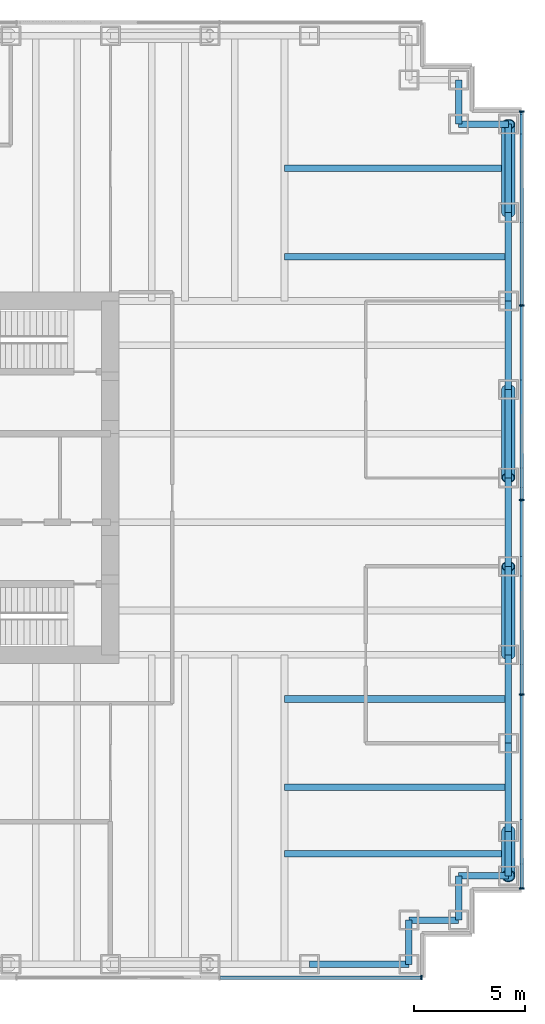
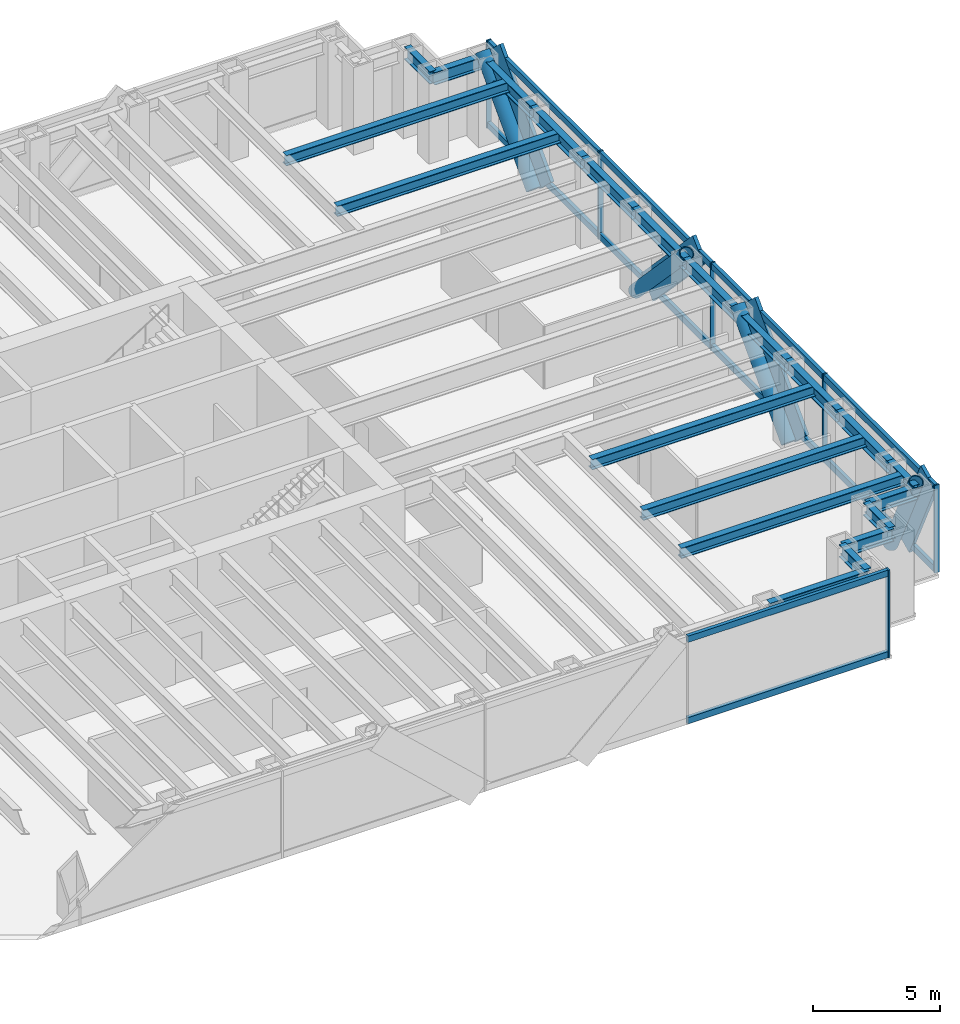
# One storey, part 7 of 14: 24 members, 21 beams, 2 elements without a shape of their own.
"""IFC4 building model written with IfcOpenShell, lengths in metres."""

from ifc_helpers import new_model, si_unit, direction, frame, origin, origin_2d, place, context, subcontext, project, spatial, rectangle, hollow_circle, i_section, extrude, material, material_profile, profile_set, type_object, element, aggregate, save


model = new_model("IFC4")

# Units and contexts
model_context = context("Model", 3, precision=1e-05, world=origin(), true_north=direction((0.0, 1.0)))
body_context = subcontext(model_context, "Body", "Model", "MODEL_VIEW")
ifc_project = project(units=[si_unit("LENGTHUNIT", "METRE"), si_unit("AREAUNIT", "SQUARE_METRE"), si_unit("VOLUMEUNIT", "CUBIC_METRE"), si_unit("PLANEANGLEUNIT", "RADIAN"), si_unit("MASSUNIT", "GRAM", prefix="KILO")], contexts=[model_context])

# Site, building, storey
site_placement = place(None, origin())
site = spatial("IfcSite", under=ifc_project, at=site_placement, CompositionType="ELEMENT")
building_placement = place(site_placement, origin())
building = spatial("IfcBuilding", under=site, at=building_placement, Name="Rheinbord Bourse Tower", CompositionType="ELEMENT")
storey_placement = place(building_placement, frame((0.0, 0.0, 232.0)))
storey = spatial("IfcBuildingStorey", under=building, at=storey_placement, Name="L52", CompositionType="ELEMENT", Elevation=232.0)

# Curtain wall, members
ifc_material_1 = material(Name="Dark glass and black aluminium", Category="aluminium")
curtain_wall_type = type_object("IfcCurtainWallType", Name="CW2 DARK GLASS CURTAIN WALL", PredefinedType="USERDEFINED", material=ifc_material_1)
curtain_wall_1_placement = place(storey_placement, origin())
curtain_wall_1 = element("IfcCurtainWall", 1, at=curtain_wall_1_placement, inside=storey, type_object=curtain_wall_type, Name="Curtain wall CW2 E L52", ObjectType="UNITISED CURTAIN WALL", PredefinedType="USERDEFINED")
ifc_material_2 = material(Name="Black anodised aluminium", Category="aluminium")
ifc_material_profile_1 = material_profile(ifc_material_2, rectangle(XDim=0.159912109375, YDim=1.2099609375, at=origin_2d()), Name="CW2 DIAGONAL MULLION 1210x160")
ifc_profile_set_1 = profile_set([ifc_material_profile_1], Name="Black anodised aluminium")
member_type_1 = type_object("IfcMemberType", Name="CW2 BLACK DIAGONAL MULLION", PredefinedType="USERDEFINED", material=ifc_profile_set_1)
member_1_placement = place(storey_placement, frame((72.60009765625, 8.0, 0.0), z_axis=(0.0, -0.429937654825, 0.902858578607), x_axis=(1.0, 0.0, 0.0)))
member_1 = element("IfcMember", 2, at=member_1_placement, type_object=member_type_1, Name="CW2 diagonal mullion a", ObjectType="DIAGONAL MULLION", PredefinedType="USERDEFINED", context=body_context, shape_type="SweptSolid", body=[
    extrude(rectangle(XDim=0.159912109375, YDim=1.2099609375, at=origin_2d()), origin(), (0.0, 0.0, 1.0), 4.65185546875),
])
member_2_placement = place(storey_placement, frame((72.60009765625, 36.0, 0.0), z_axis=(0.0, 0.689659376744, 0.724133926887), x_axis=(-1.0, 0.0, 0.0)))
member_2 = element("IfcMember", 3, at=member_2_placement, type_object=member_type_1, Name="CW2 diagonal mullion b", ObjectType="DIAGONAL MULLION", PredefinedType="USERDEFINED", context=body_context, shape_type="SweptSolid", body=[
    extrude(rectangle(XDim=0.159912109375, YDim=1.2099609375, at=origin_2d()), origin(), (0.0, 0.0, 1.0), 5.800048828125),
])
member_3_placement = place(storey_placement, frame((72.60009765625, 16.0, 0.0), z_axis=(0.0, 0.689659376744, 0.724133926887), x_axis=(-1.0, 0.0, 0.0)))
member_3 = element("IfcMember", 4, at=member_3_placement, type_object=member_type_1, Name="CW2 diagonal mullion c", ObjectType="DIAGONAL MULLION", PredefinedType="USERDEFINED", context=body_context, shape_type="SweptSolid", body=[
    extrude(rectangle(XDim=0.159912109375, YDim=1.2099609375, at=origin_2d()), origin(), (0.0, 0.0, 1.0), 5.800048828125),
])
member_4_placement = place(storey_placement, frame((72.60009765625, 28.0, 0.0), z_axis=(0.0, -0.689659376744, 0.724133926887), x_axis=(1.0, 0.0, 0.0)))
member_4 = element("IfcMember", 5, at=member_4_placement, type_object=member_type_1, Name="CW2 diagonal mullion d", ObjectType="DIAGONAL MULLION", PredefinedType="USERDEFINED", context=body_context, shape_type="SweptSolid", body=[
    extrude(rectangle(XDim=0.159912109375, YDim=1.2099609375, at=origin_2d()), origin(), (0.0, 0.0, 1.0), 5.800048828125),
])

# Curtain wall, member
curtain_wall_2_placement = place(storey_placement, origin())
curtain_wall_2 = element("IfcCurtainWall", 6, at=curtain_wall_2_placement, inside=storey, type_object=curtain_wall_type, Name="Curtain wall CW2 S L52", ObjectType="UNITISED CURTAIN WALL", PredefinedType="USERDEFINED")
ifc_material_3 = material(Name="Black anodised aluminium", Category="aluminium")
ifc_material_profile_2 = material_profile(ifc_material_3, rectangle(XDim=0.219970703125, YDim=0.070068359375, at=origin_2d()), Name="CW2 MULLION 70x220")
ifc_profile_set_2 = profile_set([ifc_material_profile_2], Name="Black anodised aluminium")
member_type_2 = type_object("IfcMemberType", Name="CW2 BLACK MULLION", PredefinedType="MULLION", material=ifc_profile_set_2)
member_5_placement = place(storey_placement, frame((68.06494140625, 1.39990234375, 0.0), z_axis=(0.0, 0.0, 1.0), x_axis=(0.0, 1.0, 0.0)))
member_5 = element("IfcMember", 7, at=member_5_placement, type_object=member_type_2, Name="CW2 mullion 8", PredefinedType="MULLION", context=body_context, shape_type="SweptSolid", body=[
    extrude(rectangle(XDim=0.219970703125, YDim=0.070068359375, at=origin_2d()), origin(), (0.0, 0.0, 1.0), 4.199951171875),
])

# Member
member_6_placement = place(storey_placement, frame((72.60009765625, 5.43505859375, 0.0), z_axis=(0.0, 0.0, 1.0), x_axis=(-1.0, 0.0, 0.0)))
member_6 = element("IfcMember", 8, at=member_6_placement, type_object=member_type_2, Name="CW2 mullion 1", PredefinedType="MULLION", context=body_context, shape_type="SweptSolid", body=[
    extrude(rectangle(XDim=0.219970703125, YDim=0.070068359375, at=origin_2d()), origin(), (0.0, 0.0, 1.0), 4.199951171875),
])

member_7_placement = place(storey_placement, frame((72.60009765625, 14.199951171875, 0.0), z_axis=(0.0, 0.0, 1.0), x_axis=(-1.0, 0.0, 0.0)))
member_7 = element("IfcMember", 9, at=member_7_placement, type_object=member_type_2, Name="CW2 mullion 2", PredefinedType="MULLION", context=body_context, shape_type="SweptSolid", body=[
    extrude(rectangle(XDim=0.219970703125, YDim=0.070068359375, at=origin_2d()), origin(), (0.0, 0.0, 1.0), 4.199951171875),
])

member_8_placement = place(storey_placement, frame((72.60009765625, 23.0, 0.0), z_axis=(0.0, 0.0, 1.0), x_axis=(-1.0, 0.0, 0.0)))
member_8 = element("IfcMember", 10, at=member_8_placement, type_object=member_type_2, Name="CW2 mullion 3", PredefinedType="MULLION", context=body_context, shape_type="SweptSolid", body=[
    extrude(rectangle(XDim=0.219970703125, YDim=0.070068359375, at=origin_2d()), origin(), (0.0, 0.0, 1.0), 4.199951171875),
])

member_9_placement = place(storey_placement, frame((72.60009765625, 31.800048828125, 0.0), z_axis=(0.0, 0.0, 1.0), x_axis=(-1.0, 0.0, 0.0)))
member_9 = element("IfcMember", 11, at=member_9_placement, type_object=member_type_2, Name="CW2 mullion 4", PredefinedType="MULLION", context=body_context, shape_type="SweptSolid", body=[
    extrude(rectangle(XDim=0.219970703125, YDim=0.070068359375, at=origin_2d()), origin(), (0.0, 0.0, 1.0), 4.199951171875),
])

member_10_placement = place(storey_placement, frame((72.60009765625, 40.56494140625, 0.0), z_axis=(0.0, 0.0, 1.0), x_axis=(-1.0, 0.0, 0.0)))
member_10 = element("IfcMember", 12, at=member_10_placement, type_object=member_type_2, Name="CW2 mullion 5", PredefinedType="MULLION", context=body_context, shape_type="SweptSolid", body=[
    extrude(rectangle(XDim=0.219970703125, YDim=0.070068359375, at=origin_2d()), origin(), (0.0, 0.0, 1.0), 4.199951171875),
])

ifc_material_4 = material(Name="Black anodised aluminium", Category="aluminium")
ifc_material_profile_3 = material_profile(ifc_material_4, rectangle(XDim=0.159912109375, YDim=0.300048828125, at=origin_2d()), Name="CW2 TRANSOM 300x160")
ifc_profile_set_3 = profile_set([ifc_material_profile_3], Name="Black anodised aluminium")
member_type_3 = type_object("IfcMemberType", Name="CW2 BLACK TRANSOM", PredefinedType="USERDEFINED", material=ifc_profile_set_3)
member_11_placement = place(storey_placement, frame((58.963623046875, 1.39990234375, 0.14990234375), z_axis=(1.0, 0.0, 0.0), x_axis=(0.0, 1.0, 0.0)))
member_11 = element("IfcMember", 13, at=member_11_placement, type_object=member_type_3, Name="CW2 transom 7.1", ObjectType="TRANSOM", PredefinedType="USERDEFINED", context=body_context, shape_type="SweptSolid", body=[
    extrude(rectangle(XDim=0.159912109375, YDim=0.300048828125, at=origin_2d()), origin(), (0.0, 0.0, 1.0), 9.06640625),
])

member_12_placement = place(storey_placement, frame((58.963623046875, 1.39990234375, 4.050048828125), z_axis=(1.0, 0.0, 0.0), x_axis=(0.0, 1.0, 0.0)))
member_12 = element("IfcMember", 14, at=member_12_placement, type_object=member_type_3, Name="CW2 transom 7.2", ObjectType="TRANSOM", PredefinedType="USERDEFINED", context=body_context, shape_type="SweptSolid", body=[
    extrude(rectangle(XDim=0.159912109375, YDim=0.300048828125, at=origin_2d()), origin(), (0.0, 0.0, 1.0), 9.06640625),
])

aggregate(curtain_wall_2, [member_5, member_11, member_12])

member_13_placement = place(storey_placement, frame((72.60009765625, 5.469970703125, 0.14990234375), z_axis=(0.0, 1.0, 0.0), x_axis=(-1.0, 0.0, 0.0)))
member_13 = element("IfcMember", 15, at=member_13_placement, type_object=member_type_3, Name="CW2 transom 1.1", ObjectType="TRANSOM", PredefinedType="USERDEFINED", context=body_context, shape_type="SweptSolid", body=[
    extrude(rectangle(XDim=0.159912109375, YDim=0.300048828125, at=origin_2d()), origin(), (0.0, 0.0, 1.0), 8.695068359375),
])

member_14_placement = place(storey_placement, frame((72.60009765625, 5.469970703125, 4.050048828125), z_axis=(0.0, 1.0, 0.0), x_axis=(-1.0, 0.0, 0.0)))
member_14 = element("IfcMember", 16, at=member_14_placement, type_object=member_type_3, Name="CW2 transom 1.2", ObjectType="TRANSOM", PredefinedType="USERDEFINED", context=body_context, shape_type="SweptSolid", body=[
    extrude(rectangle(XDim=0.159912109375, YDim=0.300048828125, at=origin_2d()), origin(), (0.0, 0.0, 1.0), 8.695068359375),
])

member_15_placement = place(storey_placement, frame((72.60009765625, 14.235107421875, 0.14990234375), z_axis=(0.0, 1.0, 0.0), x_axis=(-1.0, 0.0, 0.0)))
member_15 = element("IfcMember", 17, at=member_15_placement, type_object=member_type_3, Name="CW2 transom 2.1", ObjectType="TRANSOM", PredefinedType="USERDEFINED", context=body_context, shape_type="SweptSolid", body=[
    extrude(rectangle(XDim=0.159912109375, YDim=0.300048828125, at=origin_2d()), origin(), (0.0, 0.0, 1.0), 8.72998046875),
])

member_16_placement = place(storey_placement, frame((72.60009765625, 14.235107421875, 4.050048828125), z_axis=(0.0, 1.0, 0.0), x_axis=(-1.0, 0.0, 0.0)))
member_16 = element("IfcMember", 18, at=member_16_placement, type_object=member_type_3, Name="CW2 transom 2.2", ObjectType="TRANSOM", PredefinedType="USERDEFINED", context=body_context, shape_type="SweptSolid", body=[
    extrude(rectangle(XDim=0.159912109375, YDim=0.300048828125, at=origin_2d()), origin(), (0.0, 0.0, 1.0), 8.72998046875),
])

member_17_placement = place(storey_placement, frame((72.60009765625, 23.034912109375, 0.14990234375), z_axis=(0.0, 1.0, 0.0), x_axis=(-1.0, 0.0, 0.0)))
member_17 = element("IfcMember", 19, at=member_17_placement, type_object=member_type_3, Name="CW2 transom 3.1", ObjectType="TRANSOM", PredefinedType="USERDEFINED", context=body_context, shape_type="SweptSolid", body=[
    extrude(rectangle(XDim=0.159912109375, YDim=0.300048828125, at=origin_2d()), origin(), (0.0, 0.0, 1.0), 8.72998046875),
])

member_18_placement = place(storey_placement, frame((72.60009765625, 23.034912109375, 4.050048828125), z_axis=(0.0, 1.0, 0.0), x_axis=(-1.0, 0.0, 0.0)))
member_18 = element("IfcMember", 20, at=member_18_placement, type_object=member_type_3, Name="CW2 transom 3.2", ObjectType="TRANSOM", PredefinedType="USERDEFINED", context=body_context, shape_type="SweptSolid", body=[
    extrude(rectangle(XDim=0.159912109375, YDim=0.300048828125, at=origin_2d()), origin(), (0.0, 0.0, 1.0), 8.72998046875),
])

member_19_placement = place(storey_placement, frame((72.60009765625, 31.8349609375, 0.14990234375), z_axis=(0.0, 1.0, 0.0), x_axis=(-1.0, 0.0, 0.0)))
member_19 = element("IfcMember", 21, at=member_19_placement, type_object=member_type_3, Name="CW2 transom 4.1", ObjectType="TRANSOM", PredefinedType="USERDEFINED", context=body_context, shape_type="SweptSolid", body=[
    extrude(rectangle(XDim=0.159912109375, YDim=0.300048828125, at=origin_2d()), origin(), (0.0, 0.0, 1.0), 8.695068359375),
])

member_20_placement = place(storey_placement, frame((72.60009765625, 31.8349609375, 4.050048828125), z_axis=(0.0, 1.0, 0.0), x_axis=(-1.0, 0.0, 0.0)))
member_20 = element("IfcMember", 22, at=member_20_placement, type_object=member_type_3, Name="CW2 transom 4.2", ObjectType="TRANSOM", PredefinedType="USERDEFINED", context=body_context, shape_type="SweptSolid", body=[
    extrude(rectangle(XDim=0.159912109375, YDim=0.300048828125, at=origin_2d()), origin(), (0.0, 0.0, 1.0), 8.695068359375),
])

aggregate(curtain_wall_1, [member_6, member_7, member_8, member_9, member_10, member_13, member_14, member_15, member_16, member_17, member_18, member_19, member_20, member_1, member_2, member_3, member_4])

# Members
ifc_material_5 = material(Name="Steel S460", Category="steel")
ifc_material_profile_4 = material_profile(ifc_material_5, hollow_circle(Radius=0.304931640625, WallThickness=0.0400390625, at=origin_2d()), Name="CHS 610x40")
ifc_profile_set_4 = profile_set([ifc_material_profile_4], Name="Steel S460")
member_type_4 = type_object("IfcMemberType", Name="MEGABRACE CHS 610x40", PredefinedType="BRACE", material=ifc_profile_set_4)
member_21_placement = place(storey_placement, frame((72.0, 8.0, 0.0), z_axis=(0.0, -0.429937654825, 0.902858578607), x_axis=(1.0, 0.0, 0.0)))
element("IfcMember", 23, at=member_21_placement, inside=storey, type_object=member_type_4, Name="Megabrace E face line a L52", PredefinedType="BRACE", context=body_context, shape_type="SweptSolid", body=[
    extrude(hollow_circle(Radius=0.304931640625, WallThickness=0.0400390625, at=origin_2d()), origin(), (0.0, 0.0, 1.0), 4.65185546875),
])
for number, where, z_axis, x_axis, name in (
    (24, (72.0, 36.0, 0.0), (0.0, 0.689659376744, 0.724133926887), (-1.0, 0.0, 0.0), "Megabrace E face line b L52"),
    (25, (72.0, 16.0, 0.0), (0.0, 0.689659376744, 0.724133926887), (-1.0, 0.0, 0.0), "Megabrace E face line c L52"),
    (26, (72.0, 28.0, 0.0), (0.0, -0.689659376744, 0.724133926887), (1.0, 0.0, 0.0), "Megabrace E face line d L52"),
):
    element("IfcMember", number, at=place(storey_placement, frame(where, z_axis=z_axis, x_axis=x_axis)), inside=storey, type_object=member_type_4, Name=name, PredefinedType="BRACE", context=body_context, shape_type="SweptSolid", body=[
        extrude(hollow_circle(Radius=0.304931640625, WallThickness=0.0400390625, at=origin_2d()), origin(), (0.0, 0.0, 1.0), 5.800048828125),
    ])

# Beams
ifc_material_6 = material(Name="Steel S460", Category="steel")
ifc_material_profile_5 = material_profile(ifc_material_6, i_section(OverallWidth=0.300048828125, OverallDepth=0.60009765625, WebThickness=0.015380859375, FlangeThickness=0.030029296875, at=origin_2d()), Name="HEB 600")
ifc_profile_set_5 = profile_set([ifc_material_profile_5], Name="Steel S460")
beam_type_1 = type_object("IfcBeamType", Name="SPANDREL HEB 600", PredefinedType="SPANDREL", material=ifc_profile_set_5)
beam_1_placement = place(storey_placement, frame((63.0, 2.0, 3.739990234375), z_axis=(1.0, 0.0, 0.0), x_axis=(0.0, 1.0, 0.0)))
element("IfcBeam", 27, at=beam_1_placement, inside=storey, type_object=beam_type_1, Name="Spandrel S-63-SE-E under L53", PredefinedType="SPANDREL", context=body_context, shape_type="SweptSolid", body=[
    extrude(i_section(OverallWidth=0.300048828125, OverallDepth=0.60009765625, WebThickness=0.015380859375, FlangeThickness=0.030029296875, at=origin_2d()), origin(), (0.0, 0.0, 1.0), 4.5),
])
beam_2_placement = place(storey_placement, frame((67.5, 2.0, 3.739990234375), z_axis=(0.0, 1.0, 0.0), x_axis=(-1.0, 0.0, 0.0)))
element("IfcBeam", 28, at=beam_2_placement, inside=storey, type_object=beam_type_1, Name="Spandrel SE-E-SE-D under L53", PredefinedType="SPANDREL", context=body_context, shape_type="SweptSolid", body=[
    extrude(i_section(OverallWidth=0.300048828125, OverallDepth=0.60009765625, WebThickness=0.015380859375, FlangeThickness=0.030029296875, at=origin_2d()), origin(), (0.0, 0.0, 1.0), 2.0),
])
beam_3_placement = place(storey_placement, frame((67.5, 4.0, 3.739990234375), z_axis=(1.0, 0.0, 0.0), x_axis=(0.0, 1.0, 0.0)))
element("IfcBeam", 29, at=beam_3_placement, inside=storey, type_object=beam_type_1, Name="Spandrel SE-D-SE-C under L53", PredefinedType="SPANDREL", context=body_context, shape_type="SweptSolid", body=[
    extrude(i_section(OverallWidth=0.300048828125, OverallDepth=0.60009765625, WebThickness=0.015380859375, FlangeThickness=0.030029296875, at=origin_2d()), origin(), (0.0, 0.0, 1.0), 2.25),
])
beam_4_placement = place(storey_placement, frame((69.75, 4.0, 3.739990234375), z_axis=(0.0, 1.0, 0.0), x_axis=(-1.0, 0.0, 0.0)))
element("IfcBeam", 30, at=beam_4_placement, inside=storey, type_object=beam_type_1, Name="Spandrel SE-C-SE-B under L53", PredefinedType="SPANDREL", context=body_context, shape_type="SweptSolid", body=[
    extrude(i_section(OverallWidth=0.300048828125, OverallDepth=0.60009765625, WebThickness=0.015380859375, FlangeThickness=0.030029296875, at=origin_2d()), origin(), (0.0, 0.0, 1.0), 2.0),
])
beam_5_placement = place(storey_placement, frame((69.75, 6.0, 3.739990234375), z_axis=(1.0, 0.0, 0.0), x_axis=(0.0, 1.0, 0.0)))
element("IfcBeam", 31, at=beam_5_placement, inside=storey, type_object=beam_type_1, Name="Spandrel SE-B-SE-A under L53", PredefinedType="SPANDREL", context=body_context, shape_type="SweptSolid", body=[
    extrude(i_section(OverallWidth=0.300048828125, OverallDepth=0.60009765625, WebThickness=0.015380859375, FlangeThickness=0.030029296875, at=origin_2d()), origin(), (0.0, 0.0, 1.0), 2.25),
])
beam_6_placement = place(storey_placement, frame((72.0, 6.0, 3.739990234375), z_axis=(0.0, 1.0, 0.0), x_axis=(-1.0, 0.0, 0.0)))
element("IfcBeam", 32, at=beam_6_placement, inside=storey, type_object=beam_type_1, Name="Spandrel SE-A-E-8 under L53", PredefinedType="SPANDREL", context=body_context, shape_type="SweptSolid", body=[
    extrude(i_section(OverallWidth=0.300048828125, OverallDepth=0.60009765625, WebThickness=0.015380859375, FlangeThickness=0.030029296875, at=origin_2d()), origin(), (0.0, 0.0, 1.0), 2.0),
])
for number, where, z_axis, x_axis, name in (
    (33, (72.0, 8.0, 3.739990234375), (0.0, 1.0, 0.0), (-1.0, 0.0, 0.0), "Spandrel E-8-E-12 under L53"),
    (34, (72.0, 12.0, 3.739990234375), (0.0, 1.0, 0.0), (-1.0, 0.0, 0.0), "Spandrel E-12-E-16 under L53"),
    (35, (72.0, 16.0, 3.739990234375), (0.0, 1.0, 0.0), (-1.0, 0.0, 0.0), "Spandrel E-16-E-20 under L53"),
    (36, (72.0, 20.0, 3.739990234375), (0.0, 1.0, 0.0), (-1.0, 0.0, 0.0), "Spandrel E-20-E-24 under L53"),
    (37, (72.0, 24.0, 3.739990234375), (0.0, 1.0, 0.0), (-1.0, 0.0, 0.0), "Spandrel E-24-E-28 under L53"),
    (38, (72.0, 28.0, 3.739990234375), (0.0, 1.0, 0.0), (-1.0, 0.0, 0.0), "Spandrel E-28-E-32 under L53"),
    (39, (72.0, 32.0, 3.739990234375), (0.0, 1.0, 0.0), (-1.0, 0.0, 0.0), "Spandrel E-32-E-36 under L53"),
    (40, (72.0, 36.0, 3.739990234375), (0.0, 1.0, 0.0), (-1.0, 0.0, 0.0), "Spandrel E-36-NE-A under L53"),
):
    element("IfcBeam", number, at=place(storey_placement, frame(where, z_axis=z_axis, x_axis=x_axis)), inside=storey, type_object=beam_type_1, Name=name, PredefinedType="SPANDREL", context=body_context, shape_type="SweptSolid", body=[
        extrude(i_section(OverallWidth=0.300048828125, OverallDepth=0.60009765625, WebThickness=0.015380859375, FlangeThickness=0.030029296875, at=origin_2d()), origin(), (0.0, 0.0, 1.0), 4.0),
    ])
beam_7_placement = place(storey_placement, frame((72.0, 40.0, 3.739990234375), z_axis=(-1.0, 0.0, 0.0), x_axis=(0.0, -1.0, 0.0)))
element("IfcBeam", 41, at=beam_7_placement, inside=storey, type_object=beam_type_1, Name="Spandrel NE-A-NE-B under L53", PredefinedType="SPANDREL", context=body_context, shape_type="SweptSolid", body=[
    extrude(i_section(OverallWidth=0.300048828125, OverallDepth=0.60009765625, WebThickness=0.015380859375, FlangeThickness=0.030029296875, at=origin_2d()), origin(), (0.0, 0.0, 1.0), 2.25),
])
beam_8_placement = place(storey_placement, frame((69.75, 40.0, 3.739990234375), z_axis=(0.0, 1.0, 0.0), x_axis=(-1.0, 0.0, 0.0)))
element("IfcBeam", 42, at=beam_8_placement, inside=storey, type_object=beam_type_1, Name="Spandrel NE-B-NE-C under L53", PredefinedType="SPANDREL", context=body_context, shape_type="SweptSolid", body=[
    extrude(i_section(OverallWidth=0.300048828125, OverallDepth=0.60009765625, WebThickness=0.015380859375, FlangeThickness=0.030029296875, at=origin_2d()), origin(), (0.0, 0.0, 1.0), 2.0),
])
ifc_material_7 = material(Name="Steel S460", Category="steel")
ifc_material_profile_6 = material_profile(ifc_material_7, i_section(OverallWidth=0.300048828125, OverallDepth=0.5, WebThickness=0.014404296875, FlangeThickness=0.028076171875, at=origin_2d()), Name="HEB 500")
ifc_profile_set_6 = profile_set([ifc_material_profile_6], Name="Steel S460")
beam_type_2 = type_object("IfcBeamType", Name="TIE BEAM HEB 500", PredefinedType="JOIST", material=ifc_profile_set_6)
for number, where, z_axis, x_axis, name in (
    (43, (61.875, 7.0, 3.7900390625), (1.0, 0.0, 0.0), (0.0, 1.0, 0.0), "Tie east 7 L53"),
    (44, (61.875, 10.0, 3.7900390625), (1.0, 0.0, 0.0), (0.0, 1.0, 0.0), "Tie east 10 L53"),
    (45, (61.875, 14.0, 3.7900390625), (1.0, 0.0, 0.0), (0.0, 1.0, 0.0), "Tie east 14 L53"),
    (46, (61.875, 34.0, 3.7900390625), (1.0, 0.0, 0.0), (0.0, 1.0, 0.0), "Tie east 34 L53"),
    (47, (61.875, 38.0, 3.7900390625), (1.0, 0.0, 0.0), (0.0, 1.0, 0.0), "Tie east 38 L53"),
):
    element("IfcBeam", number, at=place(storey_placement, frame(where, z_axis=z_axis, x_axis=x_axis)), inside=storey, type_object=beam_type_2, Name=name, PredefinedType="JOIST", context=body_context, shape_type="SweptSolid", body=[
        extrude(i_section(OverallWidth=0.300048828125, OverallDepth=0.5, WebThickness=0.014404296875, FlangeThickness=0.028076171875, at=origin_2d()), origin(), (0.0, 0.0, 1.0), 10.125),
    ])

save(model, "model.ifc")
